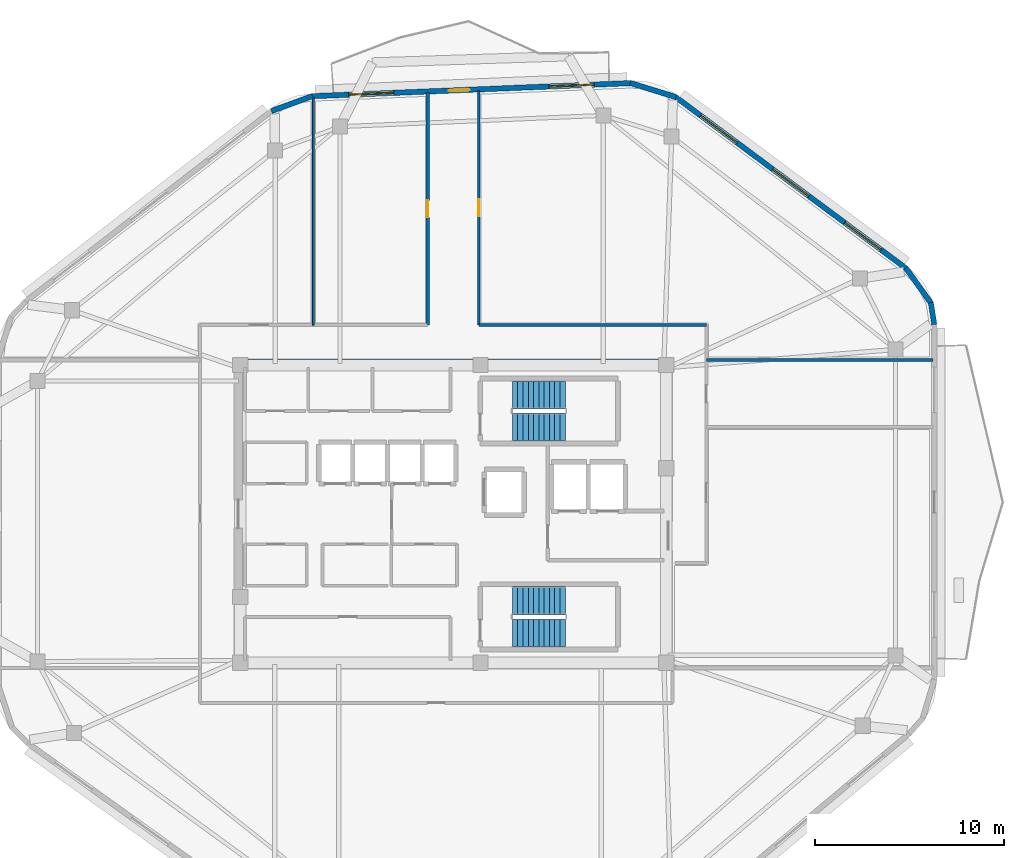
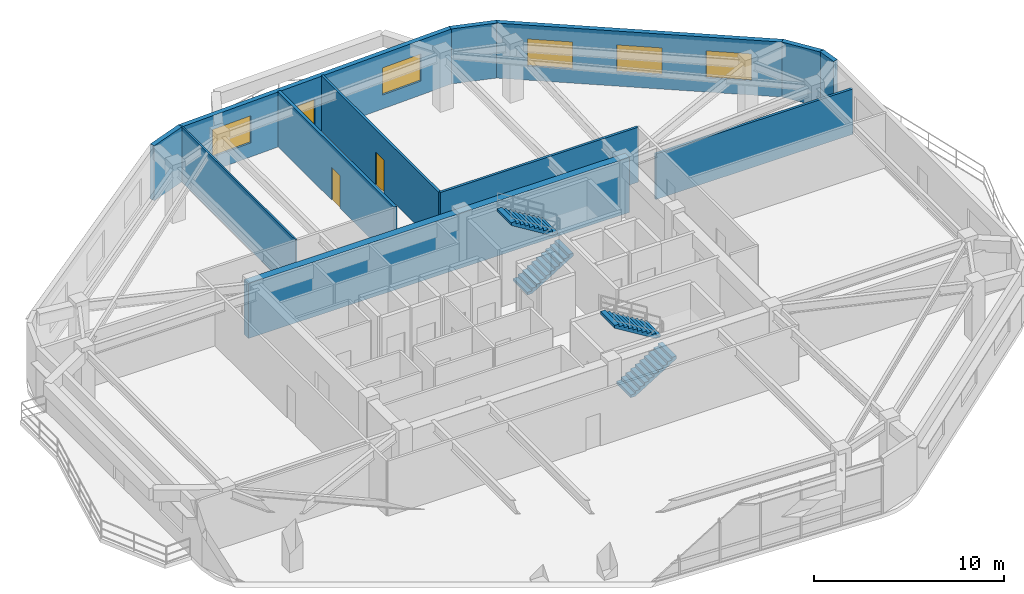
# One storey, part 10 of 13: 12 walls, 5 windows, 4 stair flights, 3 doors, 8 openings, 2 elements without a shape of their own.
"""IFC4 building model written with IfcOpenShell, lengths in metres."""

from ifc_helpers import new_model, si_unit, direction, frame, frame_2d, origin, place, context, subcontext, project, spatial, polyline, rectangle, outline, extrude, material, layer, layer_set, type_object, element, fill, aggregate, save


model = new_model("IFC4")

# Units and contexts
model_context = context("Model", 3, precision=1e-05, world=origin(), true_north=direction((0.0, 1.0)))
body_context = subcontext(model_context, "Body", "Model", "MODEL_VIEW")
ifc_project = project(units=[si_unit("LENGTHUNIT", "METRE"), si_unit("AREAUNIT", "SQUARE_METRE"), si_unit("VOLUMEUNIT", "CUBIC_METRE"), si_unit("PLANEANGLEUNIT", "RADIAN"), si_unit("MASSUNIT", "GRAM", prefix="KILO")], contexts=[model_context])

# Site, building, storey
site_placement = place(None, origin())
site = spatial("IfcSite", under=ifc_project, at=site_placement, CompositionType="ELEMENT")
building_placement = place(site_placement, origin())
building = spatial("IfcBuilding", under=site, at=building_placement, Name="Zulverin Broadcast Headquarters", CompositionType="ELEMENT")
storey_placement = place(building_placement, frame((0.0, 0.0, 278.199951171875)))
storey = spatial("IfcBuildingStorey", under=building, at=storey_placement, Name="L71", CompositionType="ELEMENT", Elevation=278.199951171875)

# Wall
ifc_material_1 = material(Name="Concrete C50/60", Category="concrete")
ifc_layer_1 = layer(ifc_material_1, 0.449951171875, Name="Concrete C50/60", Category="concrete")
ifc_layer_set_1 = layer_set([ifc_layer_1], Name="Concrete C50/60")
wall_type_1 = type_object("IfcWallType", Name="WL-CORE-450", PredefinedType="SHEAR", material=ifc_layer_set_1)
wall_1_placement = place(storey_placement, frame((25.39990234375, 33.175048828125, 0.0), z_axis=(0.0, 0.0, 1.0), x_axis=(1.0, 0.0, 0.0)))
element("IfcWall", 1, at=wall_1_placement, inside=storey, type_object=wall_type_1, Name="L71 Core North Shear Wall", PredefinedType="SHEAR", context=body_context, shape_type="SweptSolid", body=[
    extrude(rectangle(XDim=23.2001953125, YDim=0.449951171875, at=frame_2d((11.60009765625, 0.0))), origin(), (0.0, 0.0, 1.0), 3.5400390625),
])

# Wall, openings, windows
ifc_material_2 = material(Name="Insulated pale-metal clad concrete spandrel C40/50", Category="concrete")
ifc_layer_2 = layer(ifc_material_2, 0.280029296875, Name="Insulated pale-metal clad concrete spandrel C40/50", Category="concrete")
ifc_layer_set_2 = layer_set([ifc_layer_2], Name="Insulated pale-metal clad concrete spandrel C40/50")
wall_type_2 = type_object("IfcWallType", Name="WL-EXT-280", PredefinedType="STANDARD", material=ifc_layer_set_2)
wall_2_placement = place(storey_placement, frame((60.98388671875, 38.187255859375, 0.0), z_axis=(0.0, 0.0, 1.0), x_axis=(-0.802485144343, 0.596672098484, 0.0)))
wall_2 = element("IfcWall", 2, at=wall_2_placement, inside=storey, type_object=wall_type_2, Name="L71 Pale-Metal Clad Spandrel Wall 4", PredefinedType="STANDARD", context=body_context, shape_type="SweptSolid", body=[
    extrude(rectangle(XDim=15.247802734375, YDim=0.280029296875, at=frame_2d((7.6240234375, 0.0))), origin(), (0.0, 0.0, 1.0), 3.5400390625),
])
opening_1_placement = place(wall_2_placement, frame((1.674560546875, 0.0, 0.89990234375)))
opening_1 = element("IfcOpeningElement", 3, at=opening_1_placement, cuts=wall_2, Name="Opening W-L71-E41", PredefinedType="OPENING", context=body_context, shape_type="SweptSolid", body=[
    extrude(rectangle(XDim=2.39990234375, YDim=1.75, at=frame_2d((1.199951171875, 0.875))), frame((0.0, 0.14990234375, 0.0), z_axis=(0.0, -1.0, 0.0), x_axis=(1.0, 0.0, 0.0)), (0.0, 0.0, 1.0), 0.300048828125),
])
opening_2_placement = place(wall_2_placement, frame((6.423828125, 0.0, 0.89990234375)))
opening_2 = element("IfcOpeningElement", 4, at=opening_2_placement, cuts=wall_2, Name="Opening W-L71-E42", PredefinedType="OPENING", context=body_context, shape_type="SweptSolid", body=[
    extrude(rectangle(XDim=2.39990234375, YDim=1.75, at=frame_2d((1.199951171875, 0.875))), frame((0.0, 0.14990234375, 0.0), z_axis=(0.0, -1.0, 0.0), x_axis=(1.0, 0.0, 0.0)), (0.0, 0.0, 1.0), 0.300048828125),
])
opening_3_placement = place(wall_2_placement, frame((11.173095703125, 0.0, 0.89990234375)))
opening_3 = element("IfcOpeningElement", 5, at=opening_3_placement, cuts=wall_2, Name="Opening W-L71-E43", PredefinedType="OPENING", context=body_context, shape_type="SweptSolid", body=[
    extrude(rectangle(XDim=2.39990234375, YDim=1.75, at=frame_2d((1.199951171875, 0.875))), frame((0.0, 0.14990234375, 0.0), z_axis=(0.0, -1.0, 0.0), x_axis=(1.0, 0.0, 0.0)), (0.0, 0.0, 1.0), 0.300048828125),
])
ifc_material_3 = material(Name="Pale anodized aluminium frame with solar-control low-E double glazing", Category="aluminium")
window_type = type_object("IfcWindowType", Name="WIN-RIB-2400", PartitioningType="SINGLE_PANEL", PredefinedType="WINDOW", material=ifc_material_3)
window_1_placement = place(opening_1_placement, origin())
window_1 = element("IfcWindow", 6, at=window_1_placement, inside=storey, type_object=window_type, Name="L71 Ribbon Glazing Window 4 1", OverallHeight=1.75, OverallWidth=2.39990234375, PartitioningType="SINGLE_PANEL", PredefinedType="WINDOW", context=body_context, shape_type="SweptSolid", body=[
    extrude(rectangle(XDim=2.39990234375, YDim=1.75, at=frame_2d((1.199951171875, 0.875))), frame((0.0, 0.030029296875, 0.0), z_axis=(0.0, -1.0, 0.0), x_axis=(1.0, 0.0, 0.0)), (0.0, 0.0, 1.0), 0.06005859375),
])
fill(opening_1, window_1)
window_2_placement = place(opening_2_placement, origin())
window_2 = element("IfcWindow", 7, at=window_2_placement, inside=storey, type_object=window_type, Name="L71 Ribbon Glazing Window 4 2", OverallHeight=1.75, OverallWidth=2.39990234375, PartitioningType="SINGLE_PANEL", PredefinedType="WINDOW", context=body_context, shape_type="SweptSolid", body=[
    extrude(rectangle(XDim=2.39990234375, YDim=1.75, at=frame_2d((1.199951171875, 0.875))), frame((0.0, 0.030029296875, 0.0), z_axis=(0.0, -1.0, 0.0), x_axis=(1.0, 0.0, 0.0)), (0.0, 0.0, 1.0), 0.06005859375),
])
fill(opening_2, window_2)
window_3_placement = place(opening_3_placement, origin())
window_3 = element("IfcWindow", 8, at=window_3_placement, inside=storey, type_object=window_type, Name="L71 Ribbon Glazing Window 4 3", OverallHeight=1.75, OverallWidth=2.39990234375, PartitioningType="SINGLE_PANEL", PredefinedType="WINDOW", context=body_context, shape_type="SweptSolid", body=[
    extrude(rectangle(XDim=2.39990234375, YDim=1.75, at=frame_2d((1.199951171875, 0.875))), frame((0.0, 0.030029296875, 0.0), z_axis=(0.0, -1.0, 0.0), x_axis=(1.0, 0.0, 0.0)), (0.0, 0.0, 1.0), 0.06005859375),
])
fill(opening_3, window_3)

# Wall, openings, door, windows
wall_3_placement = place(storey_placement, frame((46.413818359375, 48.0048828125, 0.0), z_axis=(0.0, 0.0, 1.0), x_axis=(-0.999156194126, -0.041071885021, 0.0)))
wall_3 = element("IfcWall", 9, at=wall_3_placement, inside=storey, type_object=wall_type_2, Name="L71 Pale-Metal Clad Spandrel Wall 5", PredefinedType="STANDARD", context=body_context, shape_type="SweptSolid", body=[
    extrude(rectangle(XDim=16.923095703125, YDim=0.280029296875, at=frame_2d((8.46142578125, 0.0))), origin(), (0.0, 0.0, 1.0), 3.5400390625),
])
opening_4_placement = place(wall_3_placement, frame((8.5615234375, 0.0, 0.0)))
opening_4 = element("IfcOpeningElement", 10, at=opening_4_placement, cuts=wall_3, Name="Opening D-L71-TR5", PredefinedType="OPENING", context=body_context, shape_type="SweptSolid", body=[
    extrude(rectangle(XDim=1.10009765625, YDim=2.199951171875, at=frame_2d((0.550048828125, 1.10009765625))), frame((0.0, 0.14990234375, 0.0), z_axis=(0.0, -1.0, 0.0), x_axis=(1.0, 0.0, 0.0)), (0.0, 0.0, 1.0), 0.300048828125),
])
opening_5_placement = place(wall_3_placement, frame((1.953857421875, 0.0, 0.89990234375)))
opening_5 = element("IfcOpeningElement", 11, at=opening_5_placement, cuts=wall_3, Name="Opening W-L71-E51", PredefinedType="OPENING", context=body_context, shape_type="SweptSolid", body=[
    extrude(rectangle(XDim=2.39990234375, YDim=1.75, at=frame_2d((1.199951171875, 0.875))), frame((0.0, 0.14990234375, 0.0), z_axis=(0.0, -1.0, 0.0), x_axis=(1.0, 0.0, 0.0)), (0.0, 0.0, 1.0), 0.300048828125),
])
opening_6_placement = place(wall_3_placement, frame((12.569091796875, 0.0, 0.89990234375)))
opening_6 = element("IfcOpeningElement", 12, at=opening_6_placement, cuts=wall_3, Name="Opening W-L71-E52", PredefinedType="OPENING", context=body_context, shape_type="SweptSolid", body=[
    extrude(rectangle(XDim=2.39990234375, YDim=1.75, at=frame_2d((1.199951171875, 0.875))), frame((0.0, 0.14990234375, 0.0), z_axis=(0.0, -1.0, 0.0), x_axis=(1.0, 0.0, 0.0)), (0.0, 0.0, 1.0), 0.300048828125),
])
ifc_material_4 = material(Name="Thermally broken aluminium glazed", Category="aluminium")
door_type_1 = type_object("IfcDoorType", Name="DR-TERR-1100", OperationType="SINGLE_SWING_RIGHT", PredefinedType="DOOR", material=ifc_material_4)
door_1_placement = place(opening_4_placement, origin())
door_1 = element("IfcDoor", 13, at=door_1_placement, inside=storey, type_object=door_type_1, Name="L71 Planted Terrace Glazed Access Door 5", OperationType="SINGLE_SWING_RIGHT", OverallHeight=2.199951171875, OverallWidth=1.10009765625, PredefinedType="DOOR", context=body_context, shape_type="SweptSolid", body=[
    extrude(rectangle(XDim=1.10009765625, YDim=2.199951171875, at=frame_2d((0.550048828125, 1.10009765625))), frame((0.0, 0.02490234375, 0.0), z_axis=(0.0, -1.0, 0.0), x_axis=(1.0, 0.0, 0.0)), (0.0, 0.0, 1.0), 0.050048828125),
])
fill(opening_4, door_1)
window_4_placement = place(opening_5_placement, origin())
window_4 = element("IfcWindow", 14, at=window_4_placement, inside=storey, type_object=window_type, Name="L71 Ribbon Glazing Window 5 1", OverallHeight=1.75, OverallWidth=2.39990234375, PartitioningType="SINGLE_PANEL", PredefinedType="WINDOW", context=body_context, shape_type="SweptSolid", body=[
    extrude(rectangle(XDim=2.39990234375, YDim=1.75, at=frame_2d((1.199951171875, 0.875))), frame((0.0, 0.030029296875, 0.0), z_axis=(0.0, -1.0, 0.0), x_axis=(1.0, 0.0, 0.0)), (0.0, 0.0, 1.0), 0.06005859375),
])
fill(opening_5, window_4)
window_5_placement = place(opening_6_placement, origin())
window_5 = element("IfcWindow", 15, at=window_5_placement, inside=storey, type_object=window_type, Name="L71 Ribbon Glazing Window 5 2", OverallHeight=1.75, OverallWidth=2.39990234375, PartitioningType="SINGLE_PANEL", PredefinedType="WINDOW", context=body_context, shape_type="SweptSolid", body=[
    extrude(rectangle(XDim=2.39990234375, YDim=1.75, at=frame_2d((1.199951171875, 0.875))), frame((0.0, 0.030029296875, 0.0), z_axis=(0.0, -1.0, 0.0), x_axis=(1.0, 0.0, 0.0)), (0.0, 0.0, 1.0), 0.06005859375),
])
fill(opening_6, window_5)

# Walls
wall_4_placement = place(storey_placement, frame((62.461669921875, 35.228515625, 0.0), z_axis=(0.0, 0.0, 1.0), x_axis=(-0.15458604025, 0.987979329824, 0.0)))
element("IfcWall", 16, at=wall_4_placement, inside=storey, type_object=wall_type_2, Name="L71 Wind-Shaped Corner Spandrel Wall 3-1", PredefinedType="STANDARD", context=body_context, shape_type="SweptSolid", body=[
    extrude(rectangle(XDim=1.175048828125, YDim=0.280029296875, at=frame_2d((0.58740234375, 0.0))), origin(), (0.0, 0.0, 1.0), 3.5400390625),
])
wall_5_placement = place(storey_placement, frame((62.304443359375, 36.32958984375, 0.0), z_axis=(0.0, 0.0, 1.0), x_axis=(-0.581795068472, 0.81333541562, 0.0)))
element("IfcWall", 17, at=wall_5_placement, inside=storey, type_object=wall_type_2, Name="L71 Wind-Shaped Corner Spandrel Wall 3-2", PredefinedType="STANDARD", context=body_context, shape_type="SweptSolid", body=[
    extrude(rectangle(XDim=2.32177734375, YDim=0.280029296875, at=frame_2d((1.160888671875, 0.0))), origin(), (0.0, 0.0, 1.0), 3.5400390625),
])
wall_6_placement = place(storey_placement, frame((48.7900390625, 47.263671875, 0.0), z_axis=(0.0, 0.0, 1.0), x_axis=(-0.955593560977, 0.294687879322, 0.0)))
element("IfcWall", 18, at=wall_6_placement, inside=storey, type_object=wall_type_2, Name="L71 Wind-Shaped Corner Spandrel Wall 4-1", PredefinedType="STANDARD", context=body_context, shape_type="SweptSolid", body=[
    extrude(rectangle(XDim=2.535888671875, YDim=0.280029296875, at=frame_2d((1.26806640625, 0.0))), origin(), (0.0, 0.0, 1.0), 3.5400390625),
])
wall_7_placement = place(storey_placement, frame((29.547119140625, 47.318359375, 0.0), z_axis=(0.0, 0.0, 1.0), x_axis=(-0.93940703724, -0.342803760748, 0.0)))
element("IfcWall", 19, at=wall_7_placement, inside=storey, type_object=wall_type_2, Name="L71 Wind-Shaped Corner Spandrel Wall 5-1", PredefinedType="STANDARD", context=body_context, shape_type="SweptSolid", body=[
    extrude(rectangle(XDim=2.3095703125, YDim=0.280029296875, at=frame_2d((1.15478515625, 0.0))), origin(), (0.0, 0.0, 1.0), 3.5400390625),
])
ifc_material_5 = material(Name="Fire-rated acoustic laminated glass screen", Category="glass")
ifc_layer_3 = layer(ifc_material_5, 0.10009765625, Name="Fire-rated acoustic laminated glass screen", Category="glass")
ifc_layer_set_3 = layer_set([ifc_layer_3], Name="Fire-rated acoustic laminated glass screen")
wall_type_3 = type_object("IfcWallType", Name="WL-GLAZ-100", PredefinedType="PARTITIONING", material=ifc_layer_set_3)
wall_8_placement = place(storey_placement, frame((29.60009765625, 35.199951171875, 0.0), z_axis=(0.0, 0.0, 1.0), x_axis=(0.0, 1.0, 0.0)))
element("IfcWall", 20, at=wall_8_placement, inside=storey, type_object=wall_type_3, Name="L71 Room Partition Wall RP-05", PredefinedType="PARTITIONING", context=body_context, shape_type="SweptSolid", body=[
    extrude(rectangle(XDim=12.048828125, YDim=0.10009765625, at=frame_2d((6.0244140625, 0.0))), origin(), (0.0, 0.0, 1.0), 3.5400390625),
])

# Wall, opening, door
ifc_material_6 = material(Name="Fire-rated gypsum stud partition", Category="gypsum")
ifc_layer_4 = layer(ifc_material_6, 0.14990234375, Name="Fire-rated gypsum stud partition", Category="gypsum")
ifc_layer_set_4 = layer_set([ifc_layer_4], Name="Fire-rated gypsum stud partition")
wall_type_4 = type_object("IfcWallType", Name="WL-PART-150", PredefinedType="PARTITIONING", material=ifc_layer_set_4)
wall_9_placement = place(storey_placement, frame((38.35009765625, 35.199951171875, 0.0), z_axis=(0.0, 0.0, 1.0), x_axis=(0.0, 1.0, 0.0)))
wall_9 = element("IfcWall", 21, at=wall_9_placement, inside=storey, type_object=wall_type_4, Name="L71 Gallery Partition Wall CG-03", PredefinedType="PARTITIONING", context=body_context, shape_type="SweptSolid", body=[
    extrude(rectangle(XDim=12.40869140625, YDim=0.14990234375, at=frame_2d((6.204345703125, 0.0))), origin(), (0.0, 0.0, 1.0), 3.5400390625),
])
opening_7_placement = place(wall_9_placement, frame((5.75439453125, 0.0, 0.0)))
opening_7 = element("IfcOpeningElement", 22, at=opening_7_placement, cuts=wall_9, Name="Opening D-L71-03", PredefinedType="OPENING", context=body_context, shape_type="SweptSolid", body=[
    extrude(rectangle(XDim=0.89990234375, YDim=2.10009765625, at=frame_2d((0.449951171875, 1.050048828125))), frame((0.0, 0.0849609375, 0.0), z_axis=(0.0, -1.0, 0.0), x_axis=(1.0, 0.0, 0.0)), (0.0, 0.0, 1.0), 0.169921875),
])
ifc_material_7 = material(Name="Fire-rated hardwood veneer timber leaf", Category="wood")
door_type_2 = type_object("IfcDoorType", Name="DR-ROOM-900", OperationType="SINGLE_SWING_RIGHT", PredefinedType="DOOR", material=ifc_material_7)
door_2_placement = place(opening_7_placement, origin())
door_2 = element("IfcDoor", 23, at=door_2_placement, inside=storey, type_object=door_type_2, Name="L71 Panoramic Hospitality Lounge Door", OperationType="SINGLE_SWING_RIGHT", OverallHeight=2.10009765625, OverallWidth=0.89990234375, PredefinedType="DOOR", context=body_context, shape_type="SweptSolid", body=[
    extrude(rectangle(XDim=0.89990234375, YDim=2.10009765625, at=frame_2d((0.449951171875, 1.050048828125))), frame((0.0, 0.02490234375, 0.0), z_axis=(0.0, -1.0, 0.0), x_axis=(1.0, 0.0, 0.0)), (0.0, 0.0, 1.0), 0.050048828125),
])
fill(opening_7, door_2)

# Walls
wall_10_placement = place(storey_placement, frame((50.39990234375, 33.35009765625, 0.0), z_axis=(0.0, 0.0, 1.0), x_axis=(1.0, 0.0, 0.0)))
element("IfcWall", 24, at=wall_10_placement, inside=storey, type_object=wall_type_4, Name="L71 Room Partition Wall RP-13", PredefinedType="PARTITIONING", context=body_context, shape_type="SweptSolid", body=[
    extrude(rectangle(XDim=11.9951171875, YDim=0.14990234375, at=frame_2d((5.99755859375, 0.0))), origin(), (0.0, 0.0, 1.0), 2.9228515625),
])
wall_11_placement = place(storey_placement, frame((38.35009765625, 35.199951171875, 0.0), z_axis=(0.0, 0.0, 1.0), x_axis=(1.0, 0.0, 0.0)))
element("IfcWall", 25, at=wall_11_placement, inside=storey, type_object=wall_type_4, Name="L71 Gallery Partition Wall CG-15", PredefinedType="PARTITIONING", context=body_context, shape_type="SweptSolid", body=[
    extrude(rectangle(XDim=12.0498046875, YDim=0.14990234375, at=frame_2d((6.02490234375, 0.0))), origin(), (0.0, 0.0, 1.0), 3.5400390625),
])

# Wall, opening, door
ifc_material_8 = material(Name="Fire-rated acoustic stud wall", Category="gypsum")
ifc_layer_5 = layer(ifc_material_8, 0.175048828125, Name="Fire-rated acoustic stud wall", Category="gypsum")
ifc_layer_set_5 = layer_set([ifc_layer_5], Name="Fire-rated acoustic stud wall")
wall_type_5 = type_object("IfcWallType", Name="WL-PART-175", PredefinedType="PARTITIONING", material=ifc_layer_set_5)
wall_12_placement = place(storey_placement, frame((35.64990234375, 35.199951171875, 0.0), z_axis=(0.0, 0.0, 1.0), x_axis=(0.0, 1.0, 0.0)))
wall_12 = element("IfcWall", 26, at=wall_12_placement, inside=storey, type_object=wall_type_5, Name="L71 Gallery Partition Wall CG-04", PredefinedType="PARTITIONING", context=body_context, shape_type="SweptSolid", body=[
    extrude(rectangle(XDim=12.297607421875, YDim=0.175048828125, at=frame_2d((6.14892578125, 0.0))), origin(), (0.0, 0.0, 1.0), 3.5400390625),
])
opening_8_placement = place(wall_12_placement, frame((5.69873046875, 0.0, 0.0)))
opening_8 = element("IfcOpeningElement", 27, at=opening_8_placement, cuts=wall_12, Name="Opening D-L71-02", PredefinedType="OPENING", context=body_context, shape_type="SweptSolid", body=[
    extrude(rectangle(XDim=0.89990234375, YDim=2.10009765625, at=frame_2d((0.449951171875, 1.050048828125))), frame((0.0, 0.097412109375, 0.0), z_axis=(0.0, -1.0, 0.0), x_axis=(1.0, 0.0, 0.0)), (0.0, 0.0, 1.0), 0.195068359375),
])
door_3_placement = place(opening_8_placement, origin())
door_3 = element("IfcDoor", 28, at=door_3_placement, inside=storey, type_object=door_type_2, Name="L71 Executive Dining Restaurant Door", OperationType="SINGLE_SWING_LEFT", OverallHeight=2.10009765625, OverallWidth=0.89990234375, PredefinedType="DOOR", context=body_context, shape_type="SweptSolid", body=[
    extrude(rectangle(XDim=0.89990234375, YDim=2.10009765625, at=frame_2d((0.449951171875, 1.050048828125))), frame((0.0, 0.02490234375, 0.0), z_axis=(0.0, -1.0, 0.0), x_axis=(1.0, 0.0, 0.0)), (0.0, 0.0, 1.0), 0.050048828125),
])
fill(opening_8, door_3)

# Stair, stair flights
ifc_material_9 = material(Name="Concrete C40/50", Category="concrete")
stair_type = type_object("IfcStairType", Name="ST-CORE-1500", PredefinedType="HALF_TURN_STAIR", material=ifc_material_9)
stair_1_placement = place(storey_placement, origin())
stair_1 = element("IfcStair", 29, at=stair_1_placement, inside=storey, type_object=stair_type, Name="L71 Core Exit Stair ST-1", PredefinedType="HALF_TURN_STAIR")
stair_flight_type = type_object("IfcStairFlightType", Name="SF-CORE-1500", PredefinedType="STRAIGHT", material=ifc_material_9)
stair_flight_1_placement = place(storey_placement, frame((40.1298828125, 29.800048828125, 0.0), z_axis=(0.0, 0.0, 1.0), x_axis=(1.0, 0.0, 0.0)))
stair_flight_1 = element("IfcStairFlight", 30, at=stair_flight_1_placement, type_object=stair_flight_type, Name="ST-1 flight 1", NumberOfRisers=11, NumberOfTreads=10, PredefinedType="STRAIGHT", RiserHeight=0.172727273, TreadLength=0.28, context=body_context, shape_type="SweptSolid", body=[
    extrude(outline(polyline([(0.0, 0.0), (0.0, 0.172607421875), (0.280029296875, 0.172607421875), (0.280029296875, 0.345458984375), (0.56005859375, 0.345458984375), (0.56005859375, 0.51806640625), (0.840087890625, 0.51806640625), (0.840087890625, 0.69091796875), (1.1201171875, 0.69091796875), (1.1201171875, 0.863525390625), (1.39990234375, 0.863525390625), (1.39990234375, 1.036376953125), (1.679931640625, 1.036376953125), (1.679931640625, 1.208984375), (1.9599609375, 1.208984375), (1.9599609375, 1.3818359375), (2.239990234375, 1.3818359375), (2.239990234375, 1.554443359375), (2.52001953125, 1.554443359375), (2.52001953125, 1.727294921875), (2.800048828125, 1.727294921875), (2.800048828125, 1.89990234375), (2.800048828125, 1.551025390625), (0.285400390625, 0.0), (0.0, 0.0)])), frame((0.0, 0.75, 0.0), z_axis=(0.0, -1.0, 0.0), x_axis=(1.0, 0.0, 0.0)), (0.0, 0.0, 1.0), 1.5),
])
stair_flight_2_placement = place(storey_placement, frame((42.929931640625, 31.5, 1.900146484375), z_axis=(0.0, 0.0, 1.0), x_axis=(-1.0, 0.0, 0.0)))
stair_flight_2 = element("IfcStairFlight", 31, at=stair_flight_2_placement, type_object=stair_flight_type, Name="ST-1 flight 2", NumberOfRisers=11, NumberOfTreads=10, PredefinedType="STRAIGHT", RiserHeight=0.172727273, TreadLength=0.28, context=body_context, shape_type="SweptSolid", body=[
    extrude(outline(polyline([(0.0, 0.0), (0.0, 0.172607421875), (0.280029296875, 0.172607421875), (0.280029296875, 0.345458984375), (0.56005859375, 0.345458984375), (0.56005859375, 0.51806640625), (0.840087890625, 0.51806640625), (0.840087890625, 0.69091796875), (1.1201171875, 0.69091796875), (1.1201171875, 0.863525390625), (1.39990234375, 0.863525390625), (1.39990234375, 1.036376953125), (1.679931640625, 1.036376953125), (1.679931640625, 1.208984375), (1.9599609375, 1.208984375), (1.9599609375, 1.3818359375), (2.239990234375, 1.3818359375), (2.239990234375, 1.554443359375), (2.52001953125, 1.554443359375), (2.52001953125, 1.727294921875), (2.800048828125, 1.727294921875), (2.800048828125, 1.89990234375), (2.800048828125, 1.551025390625), (0.285400390625, 0.0), (0.0, 0.0)])), frame((0.0, 0.75, 0.0), z_axis=(0.0, -1.0, 0.0), x_axis=(1.0, 0.0, 0.0)), (0.0, 0.0, 1.0), 1.5),
])
aggregate(stair_1, [stair_flight_1, stair_flight_2])

stair_2_placement = place(storey_placement, origin())
stair_2 = element("IfcStair", 32, at=stair_2_placement, inside=storey, type_object=stair_type, Name="L71 Core Exit Stair ST-2", PredefinedType="HALF_TURN_STAIR")
stair_flight_3_placement = place(storey_placement, frame((40.1298828125, 18.89990234375, 0.0), z_axis=(0.0, 0.0, 1.0), x_axis=(1.0, 0.0, 0.0)))
stair_flight_3 = element("IfcStairFlight", 33, at=stair_flight_3_placement, type_object=stair_flight_type, Name="ST-2 flight 1", NumberOfRisers=11, NumberOfTreads=10, PredefinedType="STRAIGHT", RiserHeight=0.172727273, TreadLength=0.28, context=body_context, shape_type="SweptSolid", body=[
    extrude(outline(polyline([(0.0, 0.0), (0.0, 0.172607421875), (0.280029296875, 0.172607421875), (0.280029296875, 0.345458984375), (0.56005859375, 0.345458984375), (0.56005859375, 0.51806640625), (0.840087890625, 0.51806640625), (0.840087890625, 0.69091796875), (1.1201171875, 0.69091796875), (1.1201171875, 0.863525390625), (1.39990234375, 0.863525390625), (1.39990234375, 1.036376953125), (1.679931640625, 1.036376953125), (1.679931640625, 1.208984375), (1.9599609375, 1.208984375), (1.9599609375, 1.3818359375), (2.239990234375, 1.3818359375), (2.239990234375, 1.554443359375), (2.52001953125, 1.554443359375), (2.52001953125, 1.727294921875), (2.800048828125, 1.727294921875), (2.800048828125, 1.89990234375), (2.800048828125, 1.551025390625), (0.285400390625, 0.0), (0.0, 0.0)])), frame((0.0, 0.75, 0.0), z_axis=(0.0, -1.0, 0.0), x_axis=(1.0, 0.0, 0.0)), (0.0, 0.0, 1.0), 1.5),
])
stair_flight_4_placement = place(storey_placement, frame((42.929931640625, 20.60009765625, 1.900146484375), z_axis=(0.0, 0.0, 1.0), x_axis=(-1.0, 0.0, 0.0)))
stair_flight_4 = element("IfcStairFlight", 34, at=stair_flight_4_placement, type_object=stair_flight_type, Name="ST-2 flight 2", NumberOfRisers=11, NumberOfTreads=10, PredefinedType="STRAIGHT", RiserHeight=0.172727273, TreadLength=0.28, context=body_context, shape_type="SweptSolid", body=[
    extrude(outline(polyline([(0.0, 0.0), (0.0, 0.172607421875), (0.280029296875, 0.172607421875), (0.280029296875, 0.345458984375), (0.56005859375, 0.345458984375), (0.56005859375, 0.51806640625), (0.840087890625, 0.51806640625), (0.840087890625, 0.69091796875), (1.1201171875, 0.69091796875), (1.1201171875, 0.863525390625), (1.39990234375, 0.863525390625), (1.39990234375, 1.036376953125), (1.679931640625, 1.036376953125), (1.679931640625, 1.208984375), (1.9599609375, 1.208984375), (1.9599609375, 1.3818359375), (2.239990234375, 1.3818359375), (2.239990234375, 1.554443359375), (2.52001953125, 1.554443359375), (2.52001953125, 1.727294921875), (2.800048828125, 1.727294921875), (2.800048828125, 1.89990234375), (2.800048828125, 1.551025390625), (0.285400390625, 0.0), (0.0, 0.0)])), frame((0.0, 0.75, 0.0), z_axis=(0.0, -1.0, 0.0), x_axis=(1.0, 0.0, 0.0)), (0.0, 0.0, 1.0), 1.5),
])
aggregate(stair_2, [stair_flight_3, stair_flight_4])

save(model, "model.ifc")
